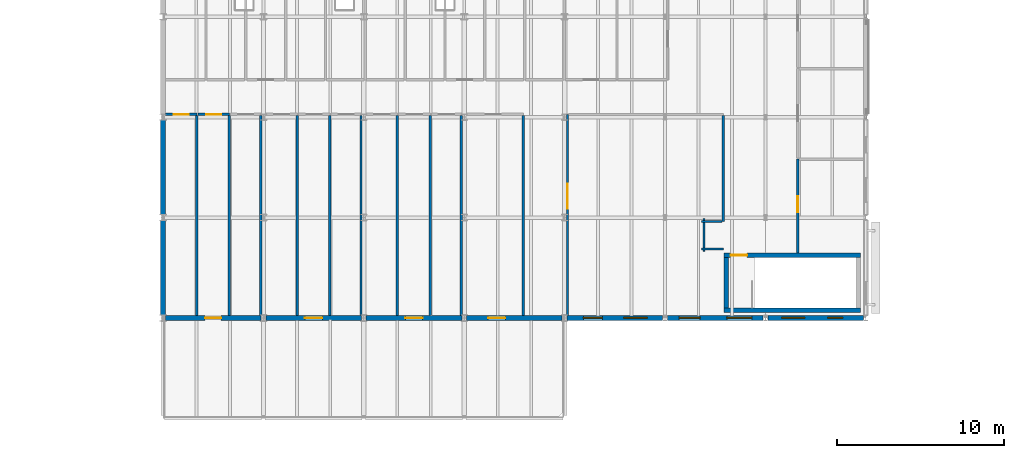
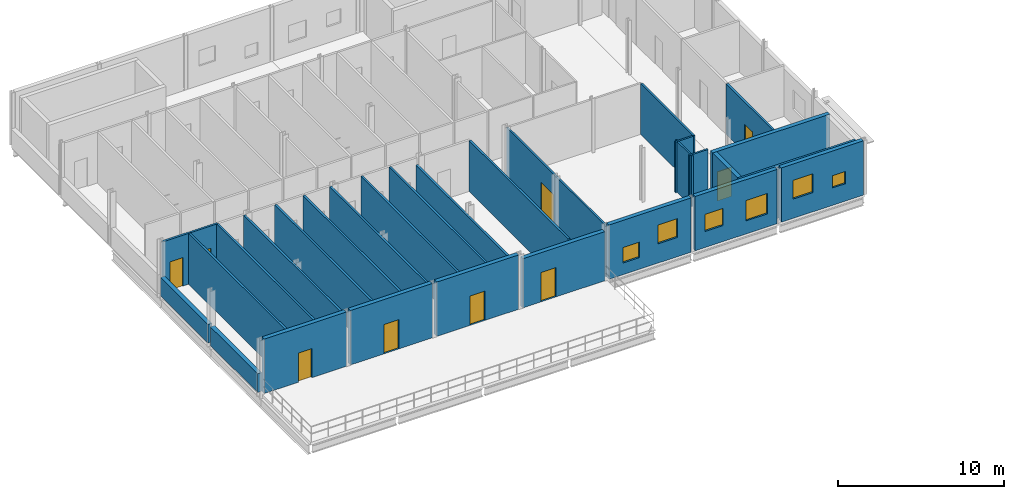
# One storey, part 30 of 45: 30 walls, 9 doors, 6 windows, 15 openings.
"""IFC4 building model written with IfcOpenShell, lengths in metres."""

from ifc_helpers import new_model, si_unit, direction, frame, frame_2d, origin, place, context, subcontext, project, spatial, rectangle, extrude, material, layer, layer_set, type_object, element, fill, save


model = new_model("IFC4")

# Units and contexts
model_context = context("Model", 3, precision=1e-05, world=origin(), true_north=direction((0.0, 1.0)))
body_context = subcontext(model_context, "Body", "Model", "MODEL_VIEW")
ifc_project = project(units=[si_unit("LENGTHUNIT", "METRE"), si_unit("AREAUNIT", "SQUARE_METRE"), si_unit("VOLUMEUNIT", "CUBIC_METRE"), si_unit("PLANEANGLEUNIT", "RADIAN"), si_unit("MASSUNIT", "GRAM", prefix="KILO")], contexts=[model_context])

# Site, building, storey
site_placement = place(None, origin())
site = spatial("IfcSite", under=ifc_project, at=site_placement, CompositionType="ELEMENT")
building_placement = place(site_placement, origin())
building = spatial("IfcBuilding", under=site, at=building_placement, Name="Siltcreek Boulevard Central Fire Station", CompositionType="ELEMENT")
storey_placement = place(building_placement, frame((0.0, 0.0, 10.0)))
storey = spatial("IfcBuildingStorey", under=building, at=storey_placement, Name="L03", CompositionType="ELEMENT", Elevation=10.0)

# Wall
ifc_material_1 = material(Name="Concrete C40/50", Category="concrete")
ifc_layer_1 = layer(ifc_material_1, 0.280029296875, Name="Concrete C40/50")
ifc_layer_set_1 = layer_set([ifc_layer_1], Name="Concrete C40/50")
wall_type_1 = type_object("IfcWallType", Name="CW_SHEAR280", PredefinedType="SHEAR", material=ifc_layer_set_1)
wall_1_placement = place(storey_placement, frame((99.52001953125, 24.4599609375, 0.0), z_axis=(0.0, 0.0, 1.0), x_axis=(1.0, 0.0, 0.0)))
element("IfcWall", 1, at=wall_1_placement, inside=storey, type_object=wall_type_1, Name="L03 ST-V2B stair enclosure south shear wall", PredefinedType="SHEAR", context=body_context, shape_type="SweptSolid", body=[
    extrude(rectangle(XDim=8.159912109375, YDim=0.280029296875, at=frame_2d((4.080078125, 0.0))), origin(), (0.0, 0.0, 1.0), 3.75),
])

# Wall, opening, door
wall_2_placement = place(storey_placement, frame((107.679931640625, 27.739990234375, 0.0), z_axis=(0.0, 0.0, 1.0), x_axis=(-1.0, 0.0, 0.0)))
wall_2 = element("IfcWall", 2, at=wall_2_placement, inside=storey, type_object=wall_type_1, Name="L03 ST-V2B stair enclosure north shear wall", PredefinedType="SHEAR", context=body_context, shape_type="SweptSolid", body=[
    extrude(rectangle(XDim=8.159912109375, YDim=0.280029296875, at=frame_2d((4.080078125, 0.0))), origin(), (0.0, 0.0, 1.0), 3.75),
])
opening_1_placement = place(wall_2_placement, frame((6.780029296875, 0.0, 0.0)))
opening_1 = element("IfcOpeningElement", 3, at=opening_1_placement, cuts=wall_2, Name="Opening SD-014", PredefinedType="OPENING", context=body_context, shape_type="SweptSolid", body=[
    extrude(rectangle(XDim=0.97998046875, YDim=2.14990234375, at=frame_2d((0.489990234375, 1.074951171875))), frame((0.0, 0.14990234375, 0.0), z_axis=(0.0, -1.0, 0.0), x_axis=(1.0, 0.0, 0.0)), (0.0, 0.0, 1.0), 0.300048828125),
])
ifc_material_2 = material(Name="Hollow metal 90-min enclosed stair door")
door_type_1 = type_object("IfcDoorType", Name="DR_ST_098X215", OperationType="NOTDEFINED", PredefinedType="DOOR", material=ifc_material_2)
door_1_placement = place(opening_1_placement, origin())
door_1 = element("IfcDoor", 4, at=door_1_placement, inside=storey, type_object=door_type_1, Name="L03 ST-V2B enclosed exit stair door SD-014", OperationType="SINGLE_SWING_LEFT", OverallHeight=2.14990234375, OverallWidth=0.97998046875, PredefinedType="DOOR", context=body_context, shape_type="SweptSolid", body=[
    extrude(rectangle(XDim=0.97998046875, YDim=2.14990234375, at=frame_2d((0.489990234375, 1.074951171875))), frame((0.0, 0.02490234375, 0.0), z_axis=(0.0, -1.0, 0.0), x_axis=(1.0, 0.0, 0.0)), (0.0, 0.0, 1.0), 0.050048828125),
])
fill(opening_1, door_1)

# Wall
wall_3_placement = place(storey_placement, frame((99.659912109375, 27.60009765625, 0.0), z_axis=(0.0, 0.0, 1.0), x_axis=(0.0, -1.0, 0.0)))
element("IfcWall", 5, at=wall_3_placement, inside=storey, type_object=wall_type_1, Name="L03 ST-V2B stair enclosure west shear wall", PredefinedType="SHEAR", context=body_context, shape_type="SweptSolid", body=[
    extrude(rectangle(XDim=3.0, YDim=0.280029296875, at=frame_2d((1.5, 0.0))), origin(), (0.0, 0.0, 1.0), 3.75),
])

# Wall, opening, door
ifc_material_3 = material(Name="White ribbed aluminum spandrel wall", Category="aluminium")
ifc_layer_2 = layer(ifc_material_3, 0.2900390625, Name="White ribbed aluminum spandrel wall")
ifc_layer_set_2 = layer_set([ifc_layer_2], Name="White ribbed aluminum spandrel wall")
wall_type_2 = type_object("IfcWallType", Name="EW_METAL290", PredefinedType="STANDARD", material=ifc_layer_set_2)
wall_4_placement = place(storey_placement, frame((66.14501953125, 24.0, 0.0), z_axis=(0.0, 0.0, 1.0), x_axis=(1.0, 0.0, 0.0)))
wall_4 = element("IfcWall", 6, at=wall_4_placement, inside=storey, type_object=wall_type_2, Name="L03 V2 exterior insulated rainscreen wall WL-EXT-L03-0081", PredefinedType="STANDARD", context=body_context, shape_type="SweptSolid", body=[
    extrude(rectangle(XDim=5.7099609375, YDim=0.2900390625, at=frame_2d((2.85498046875, 0.0))), origin(), (0.0, 0.0, 1.0), 4.0),
])
opening_2_placement = place(wall_4_placement, frame((2.375, 0.0, 0.0)))
opening_2 = element("IfcOpeningElement", 7, at=opening_2_placement, cuts=wall_4, Name="Opening TD-012", PredefinedType="OPENING", context=body_context, shape_type="SweptSolid", body=[
    extrude(rectangle(XDim=0.9599609375, YDim=2.139892578125, at=frame_2d((0.47998046875, 1.06982421875))), frame((0.0, 0.155029296875, 0.0), z_axis=(0.0, -1.0, 0.0), x_axis=(1.0, 0.0, 0.0)), (0.0, 0.0, 1.0), 0.31005859375),
])
ifc_material_4 = material(Name="Thermally broken roof garden door")
door_type_2 = type_object("IfcDoorType", Name="DR_TER_096X214", OperationType="NOTDEFINED", PredefinedType="DOOR", material=ifc_material_4)
door_2_placement = place(opening_2_placement, frame((0.9599609375, 0.0, 0.0), z_axis=(0.0, 0.0, 1.0), x_axis=(-1.0, 0.0, 0.0)))
door_2 = element("IfcDoor", 8, at=door_2_placement, inside=storey, type_object=door_type_2, Name="L03 V2 outdoor terrace access door TD-012", OperationType="SINGLE_SWING_LEFT", OverallHeight=2.139892578125, OverallWidth=0.9599609375, PredefinedType="DOOR", context=body_context, shape_type="SweptSolid", body=[
    extrude(rectangle(XDim=0.9599609375, YDim=2.139892578125, at=frame_2d((0.47998046875, 1.06982421875))), frame((0.0, 0.02490234375, 0.0), z_axis=(0.0, -1.0, 0.0), x_axis=(1.0, 0.0, 0.0)), (0.0, 0.0, 1.0), 0.050048828125),
])
fill(opening_2, door_2)

wall_5_placement = place(storey_placement, frame((72.14501953125, 24.0, 0.0), z_axis=(0.0, 0.0, 1.0), x_axis=(1.0, 0.0, 0.0)))
wall_5 = element("IfcWall", 9, at=wall_5_placement, inside=storey, type_object=wall_type_2, Name="L03 V2 exterior insulated rainscreen wall WL-EXT-L03-0082", PredefinedType="STANDARD", context=body_context, shape_type="SweptSolid", body=[
    extrude(rectangle(XDim=5.7099609375, YDim=0.2900390625, at=frame_2d((2.85498046875, 0.0))), origin(), (0.0, 0.0, 1.0), 4.0),
])
opening_3_placement = place(wall_5_placement, frame((2.3349609375, 0.0, 0.0)))
opening_3 = element("IfcOpeningElement", 10, at=opening_3_placement, cuts=wall_5, Name="Opening TD-013", PredefinedType="OPENING", context=body_context, shape_type="SweptSolid", body=[
    extrude(rectangle(XDim=1.0400390625, YDim=2.159912109375, at=frame_2d((0.52001953125, 1.080078125))), frame((0.0, 0.155029296875, 0.0), z_axis=(0.0, -1.0, 0.0), x_axis=(1.0, 0.0, 0.0)), (0.0, 0.0, 1.0), 0.31005859375),
])
ifc_material_5 = material(Name="Thermally broken glazed terrace single door")
door_type_3 = type_object("IfcDoorType", Name="DR_TER_104X216", OperationType="NOTDEFINED", PredefinedType="DOOR", material=ifc_material_5)
door_3_placement = place(opening_3_placement, frame((1.0400390625, 0.0, 0.0), z_axis=(0.0, 0.0, 1.0), x_axis=(-1.0, 0.0, 0.0)))
door_3 = element("IfcDoor", 11, at=door_3_placement, inside=storey, type_object=door_type_3, Name="L03 V2 outdoor terrace access door TD-013", OperationType="SINGLE_SWING_RIGHT", OverallHeight=2.159912109375, OverallWidth=1.0400390625, PredefinedType="DOOR", context=body_context, shape_type="SweptSolid", body=[
    extrude(rectangle(XDim=1.0400390625, YDim=2.159912109375, at=frame_2d((0.52001953125, 1.080078125))), frame((0.0, 0.02490234375, 0.0), z_axis=(0.0, -1.0, 0.0), x_axis=(1.0, 0.0, 0.0)), (0.0, 0.0, 1.0), 0.050048828125),
])
fill(opening_3, door_3)

wall_6_placement = place(storey_placement, frame((78.14501953125, 24.0, 0.0), z_axis=(0.0, 0.0, 1.0), x_axis=(1.0, 0.0, 0.0)))
wall_6 = element("IfcWall", 12, at=wall_6_placement, inside=storey, type_object=wall_type_2, Name="L03 V2 exterior insulated rainscreen wall WL-EXT-L03-0083", PredefinedType="STANDARD", context=body_context, shape_type="SweptSolid", body=[
    extrude(rectangle(XDim=5.7099609375, YDim=0.2900390625, at=frame_2d((2.85498046875, 0.0))), origin(), (0.0, 0.0, 1.0), 4.0),
])
opening_4_placement = place(wall_6_placement, frame((2.3349609375, 0.0, 0.0)))
opening_4 = element("IfcOpeningElement", 13, at=opening_4_placement, cuts=wall_6, Name="Opening TD-014", PredefinedType="OPENING", context=body_context, shape_type="SweptSolid", body=[
    extrude(rectangle(XDim=1.0400390625, YDim=2.159912109375, at=frame_2d((0.52001953125, 1.080078125))), frame((0.0, 0.155029296875, 0.0), z_axis=(0.0, -1.0, 0.0), x_axis=(1.0, 0.0, 0.0)), (0.0, 0.0, 1.0), 0.31005859375),
])
door_4_placement = place(opening_4_placement, frame((1.0400390625, 0.0, 0.0), z_axis=(0.0, 0.0, 1.0), x_axis=(-1.0, 0.0, 0.0)))
door_4 = element("IfcDoor", 14, at=door_4_placement, inside=storey, type_object=door_type_3, Name="L03 V2 outdoor terrace access door TD-014", OperationType="SINGLE_SWING_LEFT", OverallHeight=2.159912109375, OverallWidth=1.0400390625, PredefinedType="DOOR", context=body_context, shape_type="SweptSolid", body=[
    extrude(rectangle(XDim=1.0400390625, YDim=2.159912109375, at=frame_2d((0.52001953125, 1.080078125))), frame((0.0, 0.02490234375, 0.0), z_axis=(0.0, -1.0, 0.0), x_axis=(1.0, 0.0, 0.0)), (0.0, 0.0, 1.0), 0.050048828125),
])
fill(opening_4, door_4)

wall_7_placement = place(storey_placement, frame((84.14501953125, 24.0, 0.0), z_axis=(0.0, 0.0, 1.0), x_axis=(1.0, 0.0, 0.0)))
wall_7 = element("IfcWall", 15, at=wall_7_placement, inside=storey, type_object=wall_type_2, Name="L03 V2 exterior insulated rainscreen wall WL-EXT-L03-0084", PredefinedType="STANDARD", context=body_context, shape_type="SweptSolid", body=[
    extrude(rectangle(XDim=5.7099609375, YDim=0.2900390625, at=frame_2d((2.85498046875, 0.0))), origin(), (0.0, 0.0, 1.0), 3.618896484375),
])
opening_5_placement = place(wall_7_placement, frame((1.277587890625, 0.0, 0.0)))
opening_5 = element("IfcOpeningElement", 16, at=opening_5_placement, cuts=wall_7, Name="Opening TD-015", PredefinedType="OPENING", context=body_context, shape_type="SweptSolid", body=[
    extrude(rectangle(XDim=1.0400390625, YDim=2.159912109375, at=frame_2d((0.52001953125, 1.080078125))), frame((0.0, 0.155029296875, 0.0), z_axis=(0.0, -1.0, 0.0), x_axis=(1.0, 0.0, 0.0)), (0.0, 0.0, 1.0), 0.31005859375),
])
door_5_placement = place(opening_5_placement, frame((1.0400390625, 0.0, 0.0), z_axis=(0.0, 0.0, 1.0), x_axis=(-1.0, 0.0, 0.0)))
door_5 = element("IfcDoor", 17, at=door_5_placement, inside=storey, type_object=door_type_3, Name="L03 V2 outdoor terrace access door TD-015", OperationType="SINGLE_SWING_RIGHT", OverallHeight=2.159912109375, OverallWidth=1.0400390625, PredefinedType="DOOR", context=body_context, shape_type="SweptSolid", body=[
    extrude(rectangle(XDim=1.0400390625, YDim=2.159912109375, at=frame_2d((0.52001953125, 1.080078125))), frame((0.0, 0.02490234375, 0.0), z_axis=(0.0, -1.0, 0.0), x_axis=(1.0, 0.0, 0.0)), (0.0, 0.0, 1.0), 0.050048828125),
])
fill(opening_5, door_5)

# Wall, openings, windows
wall_8_placement = place(storey_placement, frame((90.14501953125, 24.0, 0.0), z_axis=(0.0, 0.0, 1.0), x_axis=(1.0, 0.0, 0.0)))
wall_8 = element("IfcWall", 18, at=wall_8_placement, inside=storey, type_object=wall_type_2, Name="L03 V2 exterior insulated rainscreen wall WL-EXT-L03-0085", PredefinedType="STANDARD", context=body_context, shape_type="SweptSolid", body=[
    extrude(rectangle(XDim=5.7099609375, YDim=0.2900390625, at=frame_2d((2.85498046875, 0.0))), origin(), (0.0, 0.0, 1.0), 4.0),
])
opening_6_placement = place(wall_8_placement, frame((0.975341796875, 0.0, 0.860107421875)))
opening_6 = element("IfcOpeningElement", 19, at=opening_6_placement, cuts=wall_8, Name="Opening WN39", PredefinedType="OPENING", context=body_context, shape_type="SweptSolid", body=[
    extrude(rectangle(XDim=1.139892578125, YDim=1.139892578125, at=frame_2d((0.56982421875, 0.56982421875))), frame((0.0, 0.155029296875, 0.0), z_axis=(0.0, -1.0, 0.0), x_axis=(1.0, 0.0, 0.0)), (0.0, 0.0, 1.0), 0.31005859375),
])
opening_7_placement = place(wall_8_placement, frame((3.3994140625, 0.0, 1.419921875)))
opening_7 = element("IfcOpeningElement", 20, at=opening_7_placement, cuts=wall_8, Name="Opening WN41", PredefinedType="OPENING", context=body_context, shape_type="SweptSolid", body=[
    extrude(rectangle(XDim=1.3798828125, YDim=1.3798828125, at=frame_2d((0.68994140625, 0.68994140625))), frame((0.0, 0.155029296875, 0.0), z_axis=(0.0, -1.0, 0.0), x_axis=(1.0, 0.0, 0.0)), (0.0, 0.0, 1.0), 0.31005859375),
])
ifc_material_6 = material(Name="Thermally broken aluminum frame with low-E insulated glass", Category="aluminium")
window_type_1 = type_object("IfcWindowType", Name="WN_SQ_114X114", PartitioningType="SINGLE_PANEL", PredefinedType="WINDOW", material=ifc_material_6)
window_1_placement = place(opening_6_placement, origin())
window_1 = element("IfcWindow", 21, at=window_1_placement, inside=storey, type_object=window_type_1, Name="L03 V2 square exterior window WN-0061", OverallHeight=1.139892578125, OverallWidth=1.139892578125, PartitioningType="SINGLE_PANEL", PredefinedType="WINDOW", context=body_context, shape_type="SweptSolid", body=[
    extrude(rectangle(XDim=1.139892578125, YDim=1.139892578125, at=frame_2d((0.56982421875, 0.56982421875))), frame((0.0, 0.030029296875, 0.0), z_axis=(0.0, -1.0, 0.0), x_axis=(1.0, 0.0, 0.0)), (0.0, 0.0, 1.0), 0.06005859375),
])
fill(opening_6, window_1)
window_type_2 = type_object("IfcWindowType", Name="WN_SQ_138X138", PartitioningType="SINGLE_PANEL", PredefinedType="WINDOW", material=ifc_material_6)
window_2_placement = place(opening_7_placement, origin())
window_2 = element("IfcWindow", 22, at=window_2_placement, inside=storey, type_object=window_type_2, Name="L03 V2 square exterior window WN-0062", OverallHeight=1.3798828125, OverallWidth=1.3798828125, PartitioningType="SINGLE_PANEL", PredefinedType="WINDOW", context=body_context, shape_type="SweptSolid", body=[
    extrude(rectangle(XDim=1.3798828125, YDim=1.3798828125, at=frame_2d((0.68994140625, 0.68994140625))), frame((0.0, 0.030029296875, 0.0), z_axis=(0.0, -1.0, 0.0), x_axis=(1.0, 0.0, 0.0)), (0.0, 0.0, 1.0), 0.06005859375),
])
fill(opening_7, window_2)

wall_9_placement = place(storey_placement, frame((96.14501953125, 24.0, 0.0), z_axis=(0.0, 0.0, 1.0), x_axis=(1.0, 0.0, 0.0)))
wall_9 = element("IfcWall", 23, at=wall_9_placement, inside=storey, type_object=wall_type_2, Name="L03 V2 exterior insulated rainscreen wall WL-EXT-L03-0086", PredefinedType="STANDARD", context=body_context, shape_type="SweptSolid", body=[
    extrude(rectangle(XDim=5.7099609375, YDim=0.2900390625, at=frame_2d((2.85498046875, 0.0))), origin(), (0.0, 0.0, 1.0), 4.0),
])
opening_8_placement = place(wall_9_placement, frame((0.69091796875, 0.0, 1.179931640625)))
opening_8 = element("IfcOpeningElement", 24, at=opening_8_placement, cuts=wall_9, Name="Opening WN40", PredefinedType="OPENING", context=body_context, shape_type="SweptSolid", body=[
    extrude(rectangle(XDim=1.260009765625, YDim=1.260009765625, at=frame_2d((0.6298828125, 0.6298828125))), frame((0.0, 0.155029296875, 0.0), z_axis=(0.0, -1.0, 0.0), x_axis=(1.0, 0.0, 0.0)), (0.0, 0.0, 1.0), 0.31005859375),
])
opening_9_placement = place(wall_9_placement, frame((3.543212890625, 0.0, 0.9599609375)))
opening_9 = element("IfcOpeningElement", 25, at=opening_9_placement, cuts=wall_9, Name="Opening WN42", PredefinedType="OPENING", context=body_context, shape_type="SweptSolid", body=[
    extrude(rectangle(XDim=1.5, YDim=1.5, at=frame_2d((0.75, 0.75))), frame((0.0, 0.155029296875, 0.0), z_axis=(0.0, -1.0, 0.0), x_axis=(1.0, 0.0, 0.0)), (0.0, 0.0, 1.0), 0.31005859375),
])
window_type_3 = type_object("IfcWindowType", Name="WN_SQ_126X126", PartitioningType="SINGLE_PANEL", PredefinedType="WINDOW", material=ifc_material_6)
window_3_placement = place(opening_8_placement, origin())
window_3 = element("IfcWindow", 26, at=window_3_placement, inside=storey, type_object=window_type_3, Name="L03 V2 square exterior window WN-0063", OverallHeight=1.260009765625, OverallWidth=1.260009765625, PartitioningType="SINGLE_PANEL", PredefinedType="WINDOW", context=body_context, shape_type="SweptSolid", body=[
    extrude(rectangle(XDim=1.260009765625, YDim=1.260009765625, at=frame_2d((0.6298828125, 0.6298828125))), frame((0.0, 0.030029296875, 0.0), z_axis=(0.0, -1.0, 0.0), x_axis=(1.0, 0.0, 0.0)), (0.0, 0.0, 1.0), 0.06005859375),
])
fill(opening_8, window_3)
window_type_4 = type_object("IfcWindowType", Name="WN_SQ_150X150", PartitioningType="SINGLE_PANEL", PredefinedType="WINDOW", material=ifc_material_6)
window_4_placement = place(opening_9_placement, origin())
window_4 = element("IfcWindow", 27, at=window_4_placement, inside=storey, type_object=window_type_4, Name="L03 V2 square exterior window WN-0064", OverallHeight=1.5, OverallWidth=1.5, PartitioningType="SINGLE_PANEL", PredefinedType="WINDOW", context=body_context, shape_type="SweptSolid", body=[
    extrude(rectangle(XDim=1.5, YDim=1.5, at=frame_2d((0.75, 0.75))), frame((0.0, 0.030029296875, 0.0), z_axis=(0.0, -1.0, 0.0), x_axis=(1.0, 0.0, 0.0)), (0.0, 0.0, 1.0), 0.06005859375),
])
fill(opening_9, window_4)

wall_10_placement = place(storey_placement, frame((102.14501953125, 24.0, 0.0), z_axis=(0.0, 0.0, 1.0), x_axis=(1.0, 0.0, 0.0)))
wall_10 = element("IfcWall", 28, at=wall_10_placement, inside=storey, type_object=wall_type_2, Name="L03 V2 exterior insulated rainscreen wall WL-EXT-L03-0087", PredefinedType="STANDARD", context=body_context, shape_type="SweptSolid", body=[
    extrude(rectangle(XDim=5.7099609375, YDim=0.2900390625, at=frame_2d((2.85498046875, 0.0))), origin(), (0.0, 0.0, 1.0), 4.0),
])
opening_10_placement = place(wall_10_placement, frame((0.8193359375, 0.0, 1.419921875)))
opening_10 = element("IfcOpeningElement", 29, at=opening_10_placement, cuts=wall_10, Name="Opening WN41", PredefinedType="OPENING", context=body_context, shape_type="SweptSolid", body=[
    extrude(rectangle(XDim=1.3798828125, YDim=1.3798828125, at=frame_2d((0.68994140625, 0.68994140625))), frame((0.0, 0.155029296875, 0.0), z_axis=(0.0, -1.0, 0.0), x_axis=(1.0, 0.0, 0.0)), (0.0, 0.0, 1.0), 0.31005859375),
])
opening_11_placement = place(wall_10_placement, frame((3.5673828125, 0.0, 1.280029296875)))
opening_11 = element("IfcOpeningElement", 30, at=opening_11_placement, cuts=wall_10, Name="Opening WN37", PredefinedType="OPENING", context=body_context, shape_type="SweptSolid", body=[
    extrude(rectangle(XDim=0.89990234375, YDim=0.89990234375, at=frame_2d((0.449951171875, 0.449951171875))), frame((0.0, 0.155029296875, 0.0), z_axis=(0.0, -1.0, 0.0), x_axis=(1.0, 0.0, 0.0)), (0.0, 0.0, 1.0), 0.31005859375),
])
window_type_5 = type_object("IfcWindowType", Name="WN_SQ_090X090", PartitioningType="SINGLE_PANEL", PredefinedType="WINDOW", material=ifc_material_6)
window_5_placement = place(opening_11_placement, origin())
window_5 = element("IfcWindow", 31, at=window_5_placement, inside=storey, type_object=window_type_5, Name="L03 V2 square exterior window WN-0066", OverallHeight=0.89990234375, OverallWidth=0.89990234375, PartitioningType="SINGLE_PANEL", PredefinedType="WINDOW", context=body_context, shape_type="SweptSolid", body=[
    extrude(rectangle(XDim=0.89990234375, YDim=0.89990234375, at=frame_2d((0.449951171875, 0.449951171875))), frame((0.0, 0.030029296875, 0.0), z_axis=(0.0, -1.0, 0.0), x_axis=(1.0, 0.0, 0.0)), (0.0, 0.0, 1.0), 0.06005859375),
])
fill(opening_11, window_5)
window_6_placement = place(opening_10_placement, origin())
window_6 = element("IfcWindow", 32, at=window_6_placement, inside=storey, type_object=window_type_2, Name="L03 V2 square exterior window WN-0065", OverallHeight=1.3798828125, OverallWidth=1.3798828125, PartitioningType="SINGLE_PANEL", PredefinedType="WINDOW", context=body_context, shape_type="SweptSolid", body=[
    extrude(rectangle(XDim=1.3798828125, YDim=1.3798828125, at=frame_2d((0.68994140625, 0.68994140625))), frame((0.0, 0.030029296875, 0.0), z_axis=(0.0, -1.0, 0.0), x_axis=(1.0, 0.0, 0.0)), (0.0, 0.0, 1.0), 0.06005859375),
])
fill(opening_10, window_6)

# Walls
for number, where, z_axis, x_axis, name in (
    (33, (66.0, 29.85498046875, 0.0), (0.0, 0.0, 1.0), (0.0, -1.0, 0.0), "L03 V2 exterior insulated rainscreen wall WL-EXT-L03-0095"),
    (34, (66.0, 35.85498046875, 0.0), (0.0, 0.0, 1.0), (0.0, -1.0, 0.0), "L03 V2 exterior insulated rainscreen wall WL-EXT-L03-0096"),
):
    element("IfcWall", number, at=place(storey_placement, frame(where, z_axis=z_axis, x_axis=x_axis)), inside=storey, type_object=wall_type_2, Name=name, PredefinedType="STANDARD", context=body_context, shape_type="SweptSolid", body=[
        extrude(rectangle(XDim=5.7099609375, YDim=0.2900390625, at=frame_2d((2.85498046875, 0.0))), origin(), (0.0, 0.0, 1.0), 1.370361328125),
    ])

# Wall, opening, door
ifc_material_7 = material(Name="STC-55 insulated acoustic crew bunk partition", Category="gypsum")
ifc_layer_3 = layer(ifc_material_7, 0.14501953125, Name="STC-55 insulated acoustic crew bunk partition")
ifc_layer_set_3 = layer_set([ifc_layer_3], Name="STC-55 insulated acoustic crew bunk partition")
wall_type_3 = type_object("IfcWallType", Name="IW_BUNK145", PredefinedType="PARTITIONING", material=ifc_layer_set_3)
wall_11_placement = place(storey_placement, frame((66.14501953125, 36.159912109375, 0.0), z_axis=(0.0, 0.0, 1.0), x_axis=(1.0, 0.0, 0.0)))
wall_11 = element("IfcWall", 35, at=wall_11_placement, inside=storey, type_object=wall_type_3, Name="L03 Crew Bunk Room 01 partition 0203", PredefinedType="PARTITIONING", context=body_context, shape_type="SweptSolid", body=[
    extrude(rectangle(XDim=1.87744140625, YDim=0.14501953125, at=frame_2d((0.938720703125, 0.0))), origin(), (0.0, 0.0, 1.0), 3.739990234375),
])
opening_12_placement = place(wall_11_placement, frame((0.483642578125, 0.0, 0.0)))
opening_12 = element("IfcOpeningElement", 36, at=opening_12_placement, cuts=wall_11, Name="Opening ID04", PredefinedType="OPENING", context=body_context, shape_type="SweptSolid", body=[
    extrude(rectangle(XDim=0.909912109375, YDim=2.10009765625, at=frame_2d((0.455078125, 1.050048828125))), frame((0.0, 0.08251953125, 0.0), z_axis=(0.0, -1.0, 0.0), x_axis=(1.0, 0.0, 0.0)), (0.0, 0.0, 1.0), 0.1650390625),
])
ifc_material_8 = material(Name="STC-45 acoustic crew bunk room door")
door_type_4 = type_object("IfcDoorType", Name="DR_BNK_091X210", OperationType="NOTDEFINED", PredefinedType="DOOR", material=ifc_material_8)
door_6_placement = place(opening_12_placement, frame((0.909912109375, 0.0, 0.0), z_axis=(0.0, 0.0, 1.0), x_axis=(-1.0, 0.0, 0.0)))
door_6 = element("IfcDoor", 37, at=door_6_placement, inside=storey, type_object=door_type_4, Name="L03 Crew Bunk Room 01 door ID-0093", OperationType="SINGLE_SWING_RIGHT", OverallHeight=2.10009765625, OverallWidth=0.909912109375, PredefinedType="DOOR", context=body_context, shape_type="SweptSolid", body=[
    extrude(rectangle(XDim=0.909912109375, YDim=2.10009765625, at=frame_2d((0.455078125, 1.050048828125))), frame((0.0, 0.02490234375, 0.0), z_axis=(0.0, -1.0, 0.0), x_axis=(1.0, 0.0, 0.0)), (0.0, 0.0, 1.0), 0.050048828125),
])
fill(opening_12, door_6)

# Wall
wall_12_placement = place(storey_placement, frame((68.010009765625, 36.08740234375, 0.0), z_axis=(0.0, 0.0, 1.0), x_axis=(0.0, -1.0, 0.0)))
element("IfcWall", 38, at=wall_12_placement, inside=storey, type_object=wall_type_3, Name="L03 Crew Bunk Room 01 partition 0204", PredefinedType="PARTITIONING", context=body_context, shape_type="SweptSolid", body=[
    extrude(rectangle(XDim=11.9423828125, YDim=0.14501953125, at=frame_2d((5.97119140625, 0.0))), origin(), (0.0, 0.0, 1.0), 3.739990234375),
])

# Wall, opening, door
wall_13_placement = place(storey_placement, frame((68.08251953125, 36.159912109375, 0.0), z_axis=(0.0, 0.0, 1.0), x_axis=(1.0, 0.0, 0.0)))
wall_13 = element("IfcWall", 39, at=wall_13_placement, inside=storey, type_object=wall_type_3, Name="L03 Crew Bunk Room 02 partition 0205", PredefinedType="PARTITIONING", context=body_context, shape_type="SweptSolid", body=[
    extrude(rectangle(XDim=1.89990234375, YDim=0.14501953125, at=frame_2d((0.949951171875, 0.0))), origin(), (0.0, 0.0, 1.0), 3.739990234375),
])
opening_13_placement = place(wall_13_placement, frame((0.4951171875, 0.0, 0.0)))
opening_13 = element("IfcOpeningElement", 40, at=opening_13_placement, cuts=wall_13, Name="Opening ID04", PredefinedType="OPENING", context=body_context, shape_type="SweptSolid", body=[
    extrude(rectangle(XDim=0.909912109375, YDim=2.10009765625, at=frame_2d((0.455078125, 1.050048828125))), frame((0.0, 0.08251953125, 0.0), z_axis=(0.0, -1.0, 0.0), x_axis=(1.0, 0.0, 0.0)), (0.0, 0.0, 1.0), 0.1650390625),
])
door_7_placement = place(opening_13_placement, frame((0.909912109375, 0.0, 0.0), z_axis=(0.0, 0.0, 1.0), x_axis=(-1.0, 0.0, 0.0)))
door_7 = element("IfcDoor", 41, at=door_7_placement, inside=storey, type_object=door_type_4, Name="L03 Crew Bunk Room 02 door ID-0094", OperationType="SINGLE_SWING_LEFT", OverallHeight=2.10009765625, OverallWidth=0.909912109375, PredefinedType="DOOR", context=body_context, shape_type="SweptSolid", body=[
    extrude(rectangle(XDim=0.909912109375, YDim=2.10009765625, at=frame_2d((0.455078125, 1.050048828125))), frame((0.0, 0.02490234375, 0.0), z_axis=(0.0, -1.0, 0.0), x_axis=(1.0, 0.0, 0.0)), (0.0, 0.0, 1.0), 0.050048828125),
])
fill(opening_13, door_7)

# Walls
for number, where, z_axis, x_axis, name in (
    (42, (69.969970703125, 36.08740234375, 0.0), (0.0, 0.0, 1.0), (0.0, -1.0, 0.0), "L03 Crew Bunk Room 02 partition 0206"),
    (43, (71.830078125, 36.08740234375, 0.0), (0.0, 0.0, 1.0), (0.0, -1.0, 0.0), "L03 Crew Bunk Room 03 partition 0208"),
    (44, (74.010009765625, 36.08740234375, 0.0), (0.0, 0.0, 1.0), (0.0, -1.0, 0.0), "L03 Crew Bunk Room 04 partition 0210"),
    (45, (75.969970703125, 36.08740234375, 0.0), (0.0, 0.0, 1.0), (0.0, -1.0, 0.0), "L03 Crew Bunk Room 05 partition 0212"),
    (46, (77.830078125, 36.08740234375, 0.0), (0.0, 0.0, 1.0), (0.0, -1.0, 0.0), "L03 Crew Bunk Room 06 partition 0214"),
    (47, (80.010009765625, 36.08740234375, 0.0), (0.0, 0.0, 1.0), (0.0, -1.0, 0.0), "L03 Crew Bunk Room 07 partition 0216"),
    (48, (81.969970703125, 36.08740234375, 0.0), (0.0, 0.0, 1.0), (0.0, -1.0, 0.0), "L03 Crew Bunk Room 08 partition 0218"),
):
    element("IfcWall", number, at=place(storey_placement, frame(where, z_axis=z_axis, x_axis=x_axis)), inside=storey, type_object=wall_type_3, Name=name, PredefinedType="PARTITIONING", context=body_context, shape_type="SweptSolid", body=[
        extrude(rectangle(XDim=11.9423828125, YDim=0.14501953125, at=frame_2d((5.97119140625, 0.0))), origin(), (0.0, 0.0, 1.0), 3.739990234375),
    ])
wall_14_placement = place(storey_placement, frame((83.830078125, 36.08740234375, 0.0), z_axis=(0.0, 0.0, 1.0), x_axis=(0.0, -1.0, 0.0)))
element("IfcWall", 49, at=wall_14_placement, inside=storey, type_object=wall_type_3, Name="L03 Crew Bunk Room 09 partition 0220", PredefinedType="PARTITIONING", context=body_context, shape_type="SweptSolid", body=[
    extrude(rectangle(XDim=11.9423828125, YDim=0.14501953125, at=frame_2d((5.97119140625, 0.0))), origin(), (0.0, 0.0, 1.0), 3.234375),
])
wall_15_placement = place(storey_placement, frame((87.530029296875, 36.08740234375, 0.0), z_axis=(0.0, 0.0, 1.0), x_axis=(0.0, -1.0, 0.0)))
element("IfcWall", 50, at=wall_15_placement, inside=storey, type_object=wall_type_3, Name="L03 Crew Bunk Room 10 partition 0222", PredefinedType="PARTITIONING", context=body_context, shape_type="SweptSolid", body=[
    extrude(rectangle(XDim=11.9423828125, YDim=0.14501953125, at=frame_2d((5.97119140625, 0.0))), origin(), (0.0, 0.0, 1.0), 3.739990234375),
])

# Wall, opening, door
wall_16_placement = place(storey_placement, frame((103.93994140625, 27.8798828125, 0.0), z_axis=(0.0, 0.0, 1.0), x_axis=(0.0, 1.0, 0.0)))
wall_16 = element("IfcWall", 51, at=wall_16_placement, inside=storey, type_object=wall_type_3, Name="L03 Duty Officer Bunk Suite 01 partition 0253", PredefinedType="PARTITIONING", context=body_context, shape_type="SweptSolid", body=[
    extrude(rectangle(XDim=5.612548828125, YDim=0.14501953125, at=frame_2d((2.80615234375, 0.0))), origin(), (0.0, 0.0, 1.0), 3.739990234375),
])
opening_14_placement = place(wall_16_placement, frame((2.445556640625, 0.0, 0.0)))
opening_14 = element("IfcOpeningElement", 52, at=opening_14_placement, cuts=wall_16, Name="Opening ID05", PredefinedType="OPENING", context=body_context, shape_type="SweptSolid", body=[
    extrude(rectangle(XDim=0.949951171875, YDim=2.1201171875, at=frame_2d((0.47509765625, 1.06005859375))), frame((0.0, 0.08251953125, 0.0), z_axis=(0.0, -1.0, 0.0), x_axis=(1.0, 0.0, 0.0)), (0.0, 0.0, 1.0), 0.1650390625),
])
ifc_material_9 = material(Name="STC-45 officer bunk suite door")
door_type_5 = type_object("IfcDoorType", Name="DR_OFS_095X212", OperationType="NOTDEFINED", PredefinedType="DOOR", material=ifc_material_9)
door_8_placement = place(opening_14_placement, frame((0.949951171875, 0.0, 0.0), z_axis=(0.0, 0.0, 1.0), x_axis=(-1.0, 0.0, 0.0)))
door_8 = element("IfcDoor", 53, at=door_8_placement, inside=storey, type_object=door_type_5, Name="L03 Duty Officer Bunk Suite 01 door ID-0113", OperationType="SINGLE_SWING_RIGHT", OverallHeight=2.1201171875, OverallWidth=0.949951171875, PredefinedType="DOOR", context=body_context, shape_type="SweptSolid", body=[
    extrude(rectangle(XDim=0.949951171875, YDim=2.1201171875, at=frame_2d((0.47509765625, 1.06005859375))), frame((0.0, 0.02490234375, 0.0), z_axis=(0.0, -1.0, 0.0), x_axis=(1.0, 0.0, 0.0)), (0.0, 0.0, 1.0), 0.050048828125),
])
fill(opening_14, door_8)

ifc_material_10 = material(Name="Interior steel stud gypsum partition", Category="steel")
ifc_layer_4 = layer(ifc_material_10, 0.125, Name="Interior steel stud gypsum partition")
ifc_layer_set_4 = layer_set([ifc_layer_4], Name="Interior steel stud gypsum partition")
wall_type_4 = type_object("IfcWallType", Name="IW_PART125", PredefinedType="PARTITIONING", material=ifc_layer_set_4)
wall_17_placement = place(storey_placement, frame((90.169921875, 24.14501953125, 0.0), z_axis=(0.0, 0.0, 1.0), x_axis=(0.0, 1.0, 0.0)))
wall_17 = element("IfcWall", 54, at=wall_17_placement, inside=storey, type_object=wall_type_4, Name="L03 Crew Quiet Reading Lounge partition 0261", PredefinedType="PARTITIONING", context=body_context, shape_type="SweptSolid", body=[
    extrude(rectangle(XDim=12.017578125, YDim=0.125, at=frame_2d((6.0087890625, 0.0))), origin(), (0.0, 0.0, 1.0), 3.739990234375),
])
opening_15_placement = place(wall_17_placement, frame((6.3671875, 0.0, 0.0)))
opening_15 = element("IfcOpeningElement", 55, at=opening_15_placement, cuts=wall_17, Name="Opening ID14", PredefinedType="OPENING", context=body_context, shape_type="SweptSolid", body=[
    extrude(rectangle(XDim=1.5, YDim=2.219970703125, at=frame_2d((0.75, 1.10986328125))), frame((0.0, 0.072509765625, 0.0), z_axis=(0.0, -1.0, 0.0), x_axis=(1.0, 0.0, 0.0)), (0.0, 0.0, 1.0), 0.14501953125),
])
ifc_material_11 = material(Name="Glazed conditioning gym pair")
door_type_6 = type_object("IfcDoorType", Name="DR_GYM_150X222", OperationType="NOTDEFINED", PredefinedType="DOOR", material=ifc_material_11)
door_9_placement = place(opening_15_placement, frame((1.5, 0.0, 0.0), z_axis=(0.0, 0.0, 1.0), x_axis=(-1.0, 0.0, 0.0)))
door_9 = element("IfcDoor", 56, at=door_9_placement, inside=storey, type_object=door_type_6, Name="L03 Crew Quiet Reading Lounge door ID-0117", OperationType="SINGLE_SWING_RIGHT", OverallHeight=2.219970703125, OverallWidth=1.5, PredefinedType="DOOR", context=body_context, shape_type="SweptSolid", body=[
    extrude(rectangle(XDim=1.5, YDim=2.219970703125, at=frame_2d((0.75, 1.10986328125))), frame((0.0, 0.02490234375, 0.0), z_axis=(0.0, -1.0, 0.0), x_axis=(1.0, 0.0, 0.0)), (0.0, 0.0, 1.0), 0.050048828125),
])
fill(opening_15, door_9)

# Walls
wall_18_placement = place(storey_placement, frame((99.47998046875, 36.097412109375, 0.0), z_axis=(0.0, 0.0, 1.0), x_axis=(0.0, -1.0, 0.0)))
element("IfcWall", 57, at=wall_18_placement, inside=storey, type_object=wall_type_4, Name="L03 Crew Quiet Reading Lounge partition 0263", PredefinedType="PARTITIONING", context=body_context, shape_type="SweptSolid", body=[
    extrude(rectangle(XDim=6.329833984375, YDim=0.125, at=frame_2d((3.1650390625, 0.0))), origin(), (0.0, 0.0, 1.0), 3.739990234375),
])
wall_19_placement = place(storey_placement, frame((99.41748046875, 29.77001953125, 0.0), z_axis=(0.0, 0.0, 1.0), x_axis=(-1.0, 0.0, 0.0)))
element("IfcWall", 58, at=wall_19_placement, inside=storey, type_object=wall_type_4, Name="L03 Crew Quiet Reading Lounge partition 0264", PredefinedType="PARTITIONING", context=body_context, shape_type="SweptSolid", body=[
    extrude(rectangle(XDim=1.25, YDim=0.125, at=frame_2d((0.625, 0.0))), origin(), (0.0, 0.0, 1.0), 3.739990234375),
])
wall_20_placement = place(storey_placement, frame((98.330078125, 29.9326171875, 0.0), z_axis=(0.0, 0.0, 1.0), x_axis=(0.0, -1.0, 0.0)))
element("IfcWall", 59, at=wall_20_placement, inside=storey, type_object=wall_type_4, Name="L03 Crew Quiet Reading Lounge partition 0265", PredefinedType="PARTITIONING", context=body_context, shape_type="SweptSolid", body=[
    extrude(rectangle(XDim=1.965087890625, YDim=0.125, at=frame_2d((0.982421875, 0.0))), origin(), (0.0, 0.0, 1.0), 3.739990234375),
])
wall_21_placement = place(storey_placement, frame((98.16748046875, 28.1298828125, 0.0), z_axis=(0.0, 0.0, 1.0), x_axis=(1.0, 0.0, 0.0)))
element("IfcWall", 60, at=wall_21_placement, inside=storey, type_object=wall_type_4, Name="L03 Crew Quiet Reading Lounge partition 0266", PredefinedType="PARTITIONING", context=body_context, shape_type="SweptSolid", body=[
    extrude(rectangle(XDim=1.31494140625, YDim=0.125, at=frame_2d((0.657470703125, 0.0))), origin(), (0.0, 0.0, 1.0), 3.739990234375),
])

save(model, "model.ifc")
